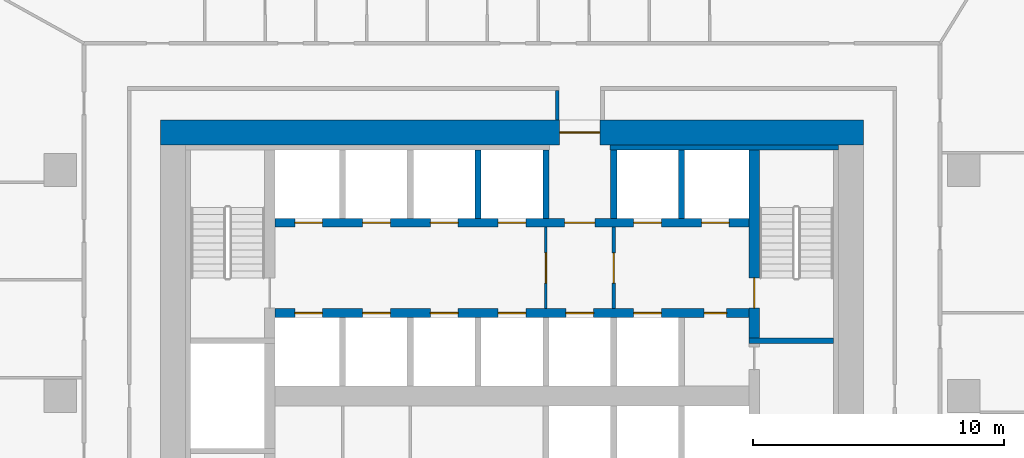
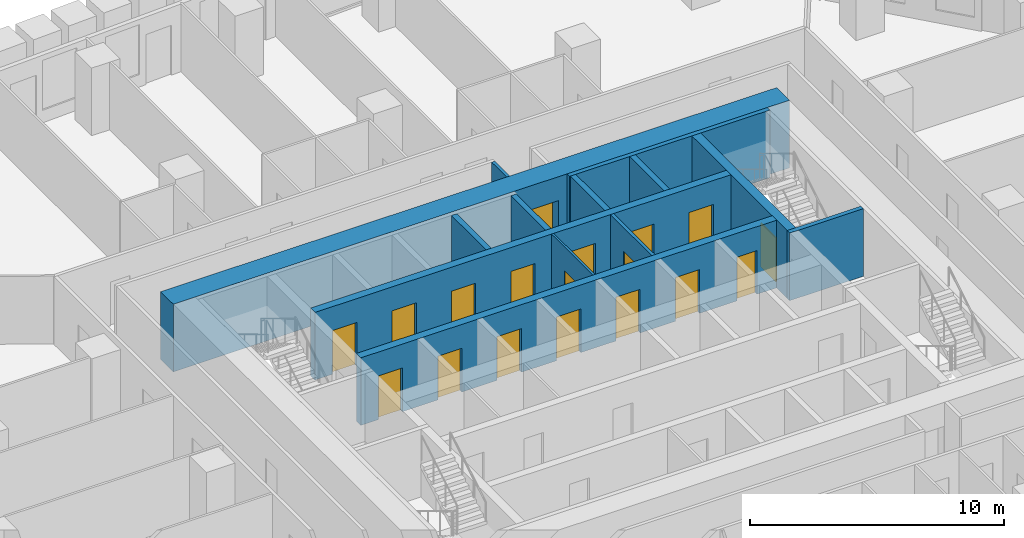
# One storey, part 17 of 26: 18 doors, 13 walls, 18 openings.
"""IFC4 building model written with IfcOpenShell, lengths in metres."""

from ifc_helpers import new_model, si_unit, direction, frame, frame_2d, origin, place, context, subcontext, project, spatial, rectangle, extrude, material, layer, layer_set, type_object, element, fill, save


model = new_model("IFC4")

# Units and contexts
model_context = context("Model", 3, precision=1e-05, world=origin(), true_north=direction((0.0, 1.0)))
body_context = subcontext(model_context, "Body", "Model", "MODEL_VIEW")
ifc_project = project(units=[si_unit("LENGTHUNIT", "METRE"), si_unit("AREAUNIT", "SQUARE_METRE"), si_unit("VOLUMEUNIT", "CUBIC_METRE"), si_unit("PLANEANGLEUNIT", "RADIAN"), si_unit("MASSUNIT", "GRAM", prefix="KILO")], contexts=[model_context])

# Site, building, storey
site_placement = place(None, origin())
site = spatial("IfcSite", under=ifc_project, at=site_placement, CompositionType="ELEMENT")
building_placement = place(site_placement, origin())
building = spatial("IfcBuilding", under=site, at=building_placement, Name="Dongbaek Canopy Tower", CompositionType="ELEMENT")
storey_placement = place(building_placement, frame((0.0, 0.0, 95.199951171875)))
storey = spatial("IfcBuildingStorey", under=building, at=storey_placement, Name="L19", CompositionType="ELEMENT", Elevation=95.199951171875)

# Wall, openings, doors
ifc_material_1 = material(Name="Concrete C60/75", Category="concrete")
ifc_layer_1 = layer(ifc_material_1, 0.35009765625)
ifc_layer_set_1 = layer_set([ifc_layer_1], Name="Core lobby wall 350 Concrete C60/75")
wall_type_1 = type_object("IfcWallType", Name="Core lobby wall 350 Concrete C60/75", PredefinedType="SHEAR", material=ifc_layer_set_1)
wall_1_placement = place(storey_placement, frame((-9.449951171875, 6.89990234375, 0.0), z_axis=(0.0, 0.0, 1.0), x_axis=(1.0, 0.0, 0.0)))
wall_1 = element("IfcWall", 1, at=wall_1_placement, inside=storey, type_object=wall_type_1, Name="Core wall", PredefinedType="SHEAR", context=body_context, shape_type="SweptSolid", body=[
    extrude(rectangle(XDim=18.89990234375, YDim=0.35009765625, at=frame_2d((9.449951171875, 0.0))), origin(), (0.0, 0.0, 1.0), 3.25),
])
opening_1_placement = place(wall_1_placement, frame((0.800048828125, 0.0, 0.0)))
opening_1 = element("IfcOpeningElement", 2, at=opening_1_placement, cuts=wall_1, Name="Opening L19-D042", PredefinedType="OPENING", context=body_context, shape_type="SweptSolid", body=[
    extrude(rectangle(XDim=1.10009765625, YDim=2.10009765625, at=frame_2d((0.550048828125, 1.050048828125))), frame((0.0, 0.18505859375, 0.0), z_axis=(0.0, -1.0, 0.0), x_axis=(1.0, 0.0, 0.0)), (0.0, 0.0, 1.0), 0.3701171875),
])
opening_2_placement = place(wall_1_placement, frame((3.5, 0.0, 0.0)))
opening_2 = element("IfcOpeningElement", 3, at=opening_2_placement, cuts=wall_1, Name="Opening L19-D043", PredefinedType="OPENING", context=body_context, shape_type="SweptSolid", body=[
    extrude(rectangle(XDim=1.10009765625, YDim=2.10009765625, at=frame_2d((0.550048828125, 1.050048828125))), frame((0.0, 0.18505859375, 0.0), z_axis=(0.0, -1.0, 0.0), x_axis=(1.0, 0.0, 0.0)), (0.0, 0.0, 1.0), 0.3701171875),
])
opening_3_placement = place(wall_1_placement, frame((6.199951171875, 0.0, 0.0)))
opening_3 = element("IfcOpeningElement", 4, at=opening_3_placement, cuts=wall_1, Name="Opening L19-D044", PredefinedType="OPENING", context=body_context, shape_type="SweptSolid", body=[
    extrude(rectangle(XDim=1.10009765625, YDim=2.10009765625, at=frame_2d((0.550048828125, 1.050048828125))), frame((0.0, 0.18505859375, 0.0), z_axis=(0.0, -1.0, 0.0), x_axis=(1.0, 0.0, 0.0)), (0.0, 0.0, 1.0), 0.3701171875),
])
opening_4_placement = place(wall_1_placement, frame((8.89990234375, 0.0, 0.0)))
opening_4 = element("IfcOpeningElement", 5, at=opening_4_placement, cuts=wall_1, Name="Opening L19-D045", PredefinedType="OPENING", context=body_context, shape_type="SweptSolid", body=[
    extrude(rectangle(XDim=1.10009765625, YDim=2.10009765625, at=frame_2d((0.550048828125, 1.050048828125))), frame((0.0, 0.18505859375, 0.0), z_axis=(0.0, -1.0, 0.0), x_axis=(1.0, 0.0, 0.0)), (0.0, 0.0, 1.0), 0.3701171875),
])
opening_5_placement = place(wall_1_placement, frame((11.550048828125, 0.0, 0.0)))
opening_5 = element("IfcOpeningElement", 6, at=opening_5_placement, cuts=wall_1, Name="Opening L19-D047", PredefinedType="OPENING", context=body_context, shape_type="SweptSolid", body=[
    extrude(rectangle(XDim=1.199951171875, YDim=2.10009765625, at=frame_2d((0.60009765625, 1.050048828125))), frame((0.0, 0.18505859375, 0.0), z_axis=(0.0, -1.0, 0.0), x_axis=(1.0, 0.0, 0.0)), (0.0, 0.0, 1.0), 0.3701171875),
])
opening_6_placement = place(wall_1_placement, frame((14.300048828125, 0.0, 0.0)))
opening_6 = element("IfcOpeningElement", 7, at=opening_6_placement, cuts=wall_1, Name="Opening L19-D048", PredefinedType="OPENING", context=body_context, shape_type="SweptSolid", body=[
    extrude(rectangle(XDim=1.10009765625, YDim=2.10009765625, at=frame_2d((0.550048828125, 1.050048828125))), frame((0.0, 0.18505859375, 0.0), z_axis=(0.0, -1.0, 0.0), x_axis=(1.0, 0.0, 0.0)), (0.0, 0.0, 1.0), 0.3701171875),
])
opening_7_placement = place(wall_1_placement, frame((17.0, 0.0, 0.0)))
opening_7 = element("IfcOpeningElement", 8, at=opening_7_placement, cuts=wall_1, Name="Opening L19-D049", PredefinedType="OPENING", context=body_context, shape_type="SweptSolid", body=[
    extrude(rectangle(XDim=1.10009765625, YDim=2.10009765625, at=frame_2d((0.550048828125, 1.050048828125))), frame((0.0, 0.18505859375, 0.0), z_axis=(0.0, -1.0, 0.0), x_axis=(1.0, 0.0, 0.0)), (0.0, 0.0, 1.0), 0.3701171875),
])
ifc_material_2 = material(Name="Steel", Category="steel")
door_type_1 = type_object("IfcDoorType", Name="Fire lobby door 1200 x 2100", OperationType="SINGLE_SWING_LEFT", PredefinedType="DOOR", material=ifc_material_2)
door_1_placement = place(opening_5_placement, origin())
door_1 = element("IfcDoor", 9, at=door_1_placement, inside=storey, type_object=door_type_1, Name="Door L19-D047", OperationType="SINGLE_SWING_LEFT", OverallHeight=2.10009765625, OverallWidth=1.199951171875, PredefinedType="DOOR", context=body_context, shape_type="SweptSolid", body=[
    extrude(rectangle(XDim=1.199951171875, YDim=2.10009765625, at=frame_2d((0.60009765625, 1.050048828125))), frame((0.0, 0.02490234375, 0.0), z_axis=(0.0, -1.0, 0.0), x_axis=(1.0, 0.0, 0.0)), (0.0, 0.0, 1.0), 0.050048828125),
])
fill(opening_5, door_1)
ifc_material_3 = material(Name="Stainless steel", Category="steel")
door_type_2 = type_object("IfcDoorType", Name="Lift landing door 1100 x 2100", OperationType="DOUBLE_DOOR_SLIDING", PredefinedType="DOOR", material=ifc_material_3)
door_2_placement = place(opening_1_placement, origin())
door_2 = element("IfcDoor", 10, at=door_2_placement, inside=storey, type_object=door_type_2, Name="Landing door LR1", OperationType="DOUBLE_DOOR_SLIDING", OverallHeight=2.10009765625, OverallWidth=1.10009765625, PredefinedType="DOOR", context=body_context, shape_type="SweptSolid", body=[
    extrude(rectangle(XDim=1.10009765625, YDim=2.10009765625, at=frame_2d((0.550048828125, 1.050048828125))), frame((0.0, 0.02490234375, 0.0), z_axis=(0.0, -1.0, 0.0), x_axis=(1.0, 0.0, 0.0)), (0.0, 0.0, 1.0), 0.050048828125),
])
fill(opening_1, door_2)
door_3_placement = place(opening_2_placement, origin())
door_3 = element("IfcDoor", 11, at=door_3_placement, inside=storey, type_object=door_type_2, Name="Landing door LR2", OperationType="DOUBLE_DOOR_SLIDING", OverallHeight=2.10009765625, OverallWidth=1.10009765625, PredefinedType="DOOR", context=body_context, shape_type="SweptSolid", body=[
    extrude(rectangle(XDim=1.10009765625, YDim=2.10009765625, at=frame_2d((0.550048828125, 1.050048828125))), frame((0.0, 0.02490234375, 0.0), z_axis=(0.0, -1.0, 0.0), x_axis=(1.0, 0.0, 0.0)), (0.0, 0.0, 1.0), 0.050048828125),
])
fill(opening_2, door_3)
door_4_placement = place(opening_3_placement, origin())
door_4 = element("IfcDoor", 12, at=door_4_placement, inside=storey, type_object=door_type_2, Name="Landing door LR3", OperationType="DOUBLE_DOOR_SLIDING", OverallHeight=2.10009765625, OverallWidth=1.10009765625, PredefinedType="DOOR", context=body_context, shape_type="SweptSolid", body=[
    extrude(rectangle(XDim=1.10009765625, YDim=2.10009765625, at=frame_2d((0.550048828125, 1.050048828125))), frame((0.0, 0.02490234375, 0.0), z_axis=(0.0, -1.0, 0.0), x_axis=(1.0, 0.0, 0.0)), (0.0, 0.0, 1.0), 0.050048828125),
])
fill(opening_3, door_4)
door_5_placement = place(opening_4_placement, origin())
door_5 = element("IfcDoor", 13, at=door_5_placement, inside=storey, type_object=door_type_2, Name="Landing door LR4", OperationType="DOUBLE_DOOR_SLIDING", OverallHeight=2.10009765625, OverallWidth=1.10009765625, PredefinedType="DOOR", context=body_context, shape_type="SweptSolid", body=[
    extrude(rectangle(XDim=1.10009765625, YDim=2.10009765625, at=frame_2d((0.550048828125, 1.050048828125))), frame((0.0, 0.02490234375, 0.0), z_axis=(0.0, -1.0, 0.0), x_axis=(1.0, 0.0, 0.0)), (0.0, 0.0, 1.0), 0.050048828125),
])
fill(opening_4, door_5)
door_6_placement = place(opening_6_placement, origin())
door_6 = element("IfcDoor", 14, at=door_6_placement, inside=storey, type_object=door_type_2, Name="Landing door FF1", OperationType="DOUBLE_DOOR_SLIDING", OverallHeight=2.10009765625, OverallWidth=1.10009765625, PredefinedType="DOOR", context=body_context, shape_type="SweptSolid", body=[
    extrude(rectangle(XDim=1.10009765625, YDim=2.10009765625, at=frame_2d((0.550048828125, 1.050048828125))), frame((0.0, 0.02490234375, 0.0), z_axis=(0.0, -1.0, 0.0), x_axis=(1.0, 0.0, 0.0)), (0.0, 0.0, 1.0), 0.050048828125),
])
fill(opening_6, door_6)
door_7_placement = place(opening_7_placement, origin())
door_7 = element("IfcDoor", 15, at=door_7_placement, inside=storey, type_object=door_type_2, Name="Landing door FF2", OperationType="DOUBLE_DOOR_SLIDING", OverallHeight=2.10009765625, OverallWidth=1.10009765625, PredefinedType="DOOR", context=body_context, shape_type="SweptSolid", body=[
    extrude(rectangle(XDim=1.10009765625, YDim=2.10009765625, at=frame_2d((0.550048828125, 1.050048828125))), frame((0.0, 0.02490234375, 0.0), z_axis=(0.0, -1.0, 0.0), x_axis=(1.0, 0.0, 0.0)), (0.0, 0.0, 1.0), 0.050048828125),
])
fill(opening_7, door_7)

wall_2_placement = place(storey_placement, frame((9.449951171875, 3.300048828125, 0.0), z_axis=(0.0, 0.0, 1.0), x_axis=(-1.0, 0.0, 0.0)))
wall_2 = element("IfcWall", 16, at=wall_2_placement, inside=storey, type_object=wall_type_1, Name="Core wall", PredefinedType="SHEAR", context=body_context, shape_type="SweptSolid", body=[
    extrude(rectangle(XDim=18.89990234375, YDim=0.35009765625, at=frame_2d((9.449951171875, 0.0))), origin(), (0.0, 0.0, 1.0), 3.25),
])
opening_8_placement = place(wall_2_placement, frame((17.0, 0.0, 0.0)))
opening_8 = element("IfcOpeningElement", 17, at=opening_8_placement, cuts=wall_2, Name="Opening L19-D050", PredefinedType="OPENING", context=body_context, shape_type="SweptSolid", body=[
    extrude(rectangle(XDim=1.10009765625, YDim=2.10009765625, at=frame_2d((0.550048828125, 1.050048828125))), frame((0.0, 0.18505859375, 0.0), z_axis=(0.0, -1.0, 0.0), x_axis=(1.0, 0.0, 0.0)), (0.0, 0.0, 1.0), 0.3701171875),
])
opening_9_placement = place(wall_2_placement, frame((14.300048828125, 0.0, 0.0)))
opening_9 = element("IfcOpeningElement", 18, at=opening_9_placement, cuts=wall_2, Name="Opening L19-D051", PredefinedType="OPENING", context=body_context, shape_type="SweptSolid", body=[
    extrude(rectangle(XDim=1.10009765625, YDim=2.10009765625, at=frame_2d((0.550048828125, 1.050048828125))), frame((0.0, 0.18505859375, 0.0), z_axis=(0.0, -1.0, 0.0), x_axis=(1.0, 0.0, 0.0)), (0.0, 0.0, 1.0), 0.3701171875),
])
opening_10_placement = place(wall_2_placement, frame((11.60009765625, 0.0, 0.0)))
opening_10 = element("IfcOpeningElement", 19, at=opening_10_placement, cuts=wall_2, Name="Opening L19-D052", PredefinedType="OPENING", context=body_context, shape_type="SweptSolid", body=[
    extrude(rectangle(XDim=1.10009765625, YDim=2.10009765625, at=frame_2d((0.550048828125, 1.050048828125))), frame((0.0, 0.18505859375, 0.0), z_axis=(0.0, -1.0, 0.0), x_axis=(1.0, 0.0, 0.0)), (0.0, 0.0, 1.0), 0.3701171875),
])
opening_11_placement = place(wall_2_placement, frame((8.89990234375, 0.0, 0.0)))
opening_11 = element("IfcOpeningElement", 20, at=opening_11_placement, cuts=wall_2, Name="Opening L19-D053", PredefinedType="OPENING", context=body_context, shape_type="SweptSolid", body=[
    extrude(rectangle(XDim=1.10009765625, YDim=2.10009765625, at=frame_2d((0.550048828125, 1.050048828125))), frame((0.0, 0.18505859375, 0.0), z_axis=(0.0, -1.0, 0.0), x_axis=(1.0, 0.0, 0.0)), (0.0, 0.0, 1.0), 0.3701171875),
])
opening_12_placement = place(wall_2_placement, frame((6.199951171875, 0.0, 0.0)))
opening_12 = element("IfcOpeningElement", 21, at=opening_12_placement, cuts=wall_2, Name="Opening L19-D054", PredefinedType="OPENING", context=body_context, shape_type="SweptSolid", body=[
    extrude(rectangle(XDim=1.10009765625, YDim=2.10009765625, at=frame_2d((0.550048828125, 1.050048828125))), frame((0.0, 0.18505859375, 0.0), z_axis=(0.0, -1.0, 0.0), x_axis=(1.0, 0.0, 0.0)), (0.0, 0.0, 1.0), 0.3701171875),
])
opening_13_placement = place(wall_2_placement, frame((3.5, 0.0, 0.0)))
opening_13 = element("IfcOpeningElement", 22, at=opening_13_placement, cuts=wall_2, Name="Opening L19-D055", PredefinedType="OPENING", context=body_context, shape_type="SweptSolid", body=[
    extrude(rectangle(XDim=1.10009765625, YDim=2.10009765625, at=frame_2d((0.550048828125, 1.050048828125))), frame((0.0, 0.18505859375, 0.0), z_axis=(0.0, -1.0, 0.0), x_axis=(1.0, 0.0, 0.0)), (0.0, 0.0, 1.0), 0.3701171875),
])
opening_14_placement = place(wall_2_placement, frame((0.89990234375, 0.0, 0.0)))
opening_14 = element("IfcOpeningElement", 23, at=opening_14_placement, cuts=wall_2, Name="Opening L19-D056", PredefinedType="OPENING", context=body_context, shape_type="SweptSolid", body=[
    extrude(rectangle(XDim=0.89990234375, YDim=2.10009765625, at=frame_2d((0.449951171875, 1.050048828125))), frame((0.0, 0.18505859375, 0.0), z_axis=(0.0, -1.0, 0.0), x_axis=(1.0, 0.0, 0.0)), (0.0, 0.0, 1.0), 0.3701171875),
])
ifc_material_4 = material(Name="Steel", Category="steel")
door_type_3 = type_object("IfcDoorType", Name="Core room door 900 x 2100", OperationType="SINGLE_SWING_LEFT", PredefinedType="DOOR", material=ifc_material_4)
door_8_placement = place(opening_14_placement, origin())
door_8 = element("IfcDoor", 24, at=door_8_placement, inside=storey, type_object=door_type_3, Name="Door L19-D056", OperationType="SINGLE_SWING_LEFT", OverallHeight=2.10009765625, OverallWidth=0.89990234375, PredefinedType="DOOR", context=body_context, shape_type="SweptSolid", body=[
    extrude(rectangle(XDim=0.89990234375, YDim=2.10009765625, at=frame_2d((0.449951171875, 1.050048828125))), frame((0.0, 0.02490234375, 0.0), z_axis=(0.0, -1.0, 0.0), x_axis=(1.0, 0.0, 0.0)), (0.0, 0.0, 1.0), 0.050048828125),
])
fill(opening_14, door_8)
door_9_placement = place(opening_8_placement, origin())
door_9 = element("IfcDoor", 25, at=door_9_placement, inside=storey, type_object=door_type_2, Name="Landing door LR5", OperationType="DOUBLE_DOOR_SLIDING", OverallHeight=2.10009765625, OverallWidth=1.10009765625, PredefinedType="DOOR", context=body_context, shape_type="SweptSolid", body=[
    extrude(rectangle(XDim=1.10009765625, YDim=2.10009765625, at=frame_2d((0.550048828125, 1.050048828125))), frame((0.0, 0.02490234375, 0.0), z_axis=(0.0, -1.0, 0.0), x_axis=(1.0, 0.0, 0.0)), (0.0, 0.0, 1.0), 0.050048828125),
])
fill(opening_8, door_9)
door_10_placement = place(opening_9_placement, origin())
door_10 = element("IfcDoor", 26, at=door_10_placement, inside=storey, type_object=door_type_2, Name="Landing door LR6", OperationType="DOUBLE_DOOR_SLIDING", OverallHeight=2.10009765625, OverallWidth=1.10009765625, PredefinedType="DOOR", context=body_context, shape_type="SweptSolid", body=[
    extrude(rectangle(XDim=1.10009765625, YDim=2.10009765625, at=frame_2d((0.550048828125, 1.050048828125))), frame((0.0, 0.02490234375, 0.0), z_axis=(0.0, -1.0, 0.0), x_axis=(1.0, 0.0, 0.0)), (0.0, 0.0, 1.0), 0.050048828125),
])
fill(opening_9, door_10)
door_11_placement = place(opening_10_placement, origin())
door_11 = element("IfcDoor", 27, at=door_11_placement, inside=storey, type_object=door_type_2, Name="Landing door LR7", OperationType="DOUBLE_DOOR_SLIDING", OverallHeight=2.10009765625, OverallWidth=1.10009765625, PredefinedType="DOOR", context=body_context, shape_type="SweptSolid", body=[
    extrude(rectangle(XDim=1.10009765625, YDim=2.10009765625, at=frame_2d((0.550048828125, 1.050048828125))), frame((0.0, 0.02490234375, 0.0), z_axis=(0.0, -1.0, 0.0), x_axis=(1.0, 0.0, 0.0)), (0.0, 0.0, 1.0), 0.050048828125),
])
fill(opening_10, door_11)
door_12_placement = place(opening_11_placement, origin())
door_12 = element("IfcDoor", 28, at=door_12_placement, inside=storey, type_object=door_type_2, Name="Landing door LR8", OperationType="DOUBLE_DOOR_SLIDING", OverallHeight=2.10009765625, OverallWidth=1.10009765625, PredefinedType="DOOR", context=body_context, shape_type="SweptSolid", body=[
    extrude(rectangle(XDim=1.10009765625, YDim=2.10009765625, at=frame_2d((0.550048828125, 1.050048828125))), frame((0.0, 0.02490234375, 0.0), z_axis=(0.0, -1.0, 0.0), x_axis=(1.0, 0.0, 0.0)), (0.0, 0.0, 1.0), 0.050048828125),
])
fill(opening_11, door_12)
door_13_placement = place(opening_12_placement, origin())
door_13 = element("IfcDoor", 29, at=door_13_placement, inside=storey, type_object=door_type_2, Name="Landing door SV1", OperationType="DOUBLE_DOOR_SLIDING", OverallHeight=2.10009765625, OverallWidth=1.10009765625, PredefinedType="DOOR", context=body_context, shape_type="SweptSolid", body=[
    extrude(rectangle(XDim=1.10009765625, YDim=2.10009765625, at=frame_2d((0.550048828125, 1.050048828125))), frame((0.0, 0.02490234375, 0.0), z_axis=(0.0, -1.0, 0.0), x_axis=(1.0, 0.0, 0.0)), (0.0, 0.0, 1.0), 0.050048828125),
])
fill(opening_12, door_13)
door_14_placement = place(opening_13_placement, origin())
door_14 = element("IfcDoor", 30, at=door_14_placement, inside=storey, type_object=door_type_2, Name="Landing door FF3", OperationType="DOUBLE_DOOR_SLIDING", OverallHeight=2.10009765625, OverallWidth=1.10009765625, PredefinedType="DOOR", context=body_context, shape_type="SweptSolid", body=[
    extrude(rectangle(XDim=1.10009765625, YDim=2.10009765625, at=frame_2d((0.550048828125, 1.050048828125))), frame((0.0, 0.02490234375, 0.0), z_axis=(0.0, -1.0, 0.0), x_axis=(1.0, 0.0, 0.0)), (0.0, 0.0, 1.0), 0.050048828125),
])
fill(opening_13, door_14)

# Wall, opening, door
ifc_material_5 = material(Name="Concrete C60/75", Category="concrete")
ifc_layer_2 = layer(ifc_material_5, 1.0)
ifc_layer_set_2 = layer_set([ifc_layer_2], Name="Core outer wall 1000 Concrete C60/75")
wall_type_2 = type_object("IfcWallType", Name="Core outer wall 1000 Concrete C60/75", PredefinedType="SHEAR", material=ifc_layer_set_2)
wall_3_placement = place(storey_placement, frame((-14.0, 10.5, 0.0), z_axis=(0.0, 0.0, 1.0), x_axis=(1.0, 0.0, 0.0)))
wall_3 = element("IfcWall", 31, at=wall_3_placement, inside=storey, type_object=wall_type_2, Name="Core wall", PredefinedType="SHEAR", context=body_context, shape_type="SweptSolid", body=[
    extrude(rectangle(XDim=28.0, YDim=1.0, at=frame_2d((14.0, 0.0))), origin(), (0.0, 0.0, 1.0), 3.25),
])
opening_15_placement = place(wall_3_placement, frame((15.89990234375, 0.0, 0.0)))
opening_15 = element("IfcOpeningElement", 32, at=opening_15_placement, cuts=wall_3, Name="Opening L19-D046", PredefinedType="OPENING", context=body_context, shape_type="SweptSolid", body=[
    extrude(rectangle(XDim=1.60009765625, YDim=2.10009765625, at=frame_2d((0.800048828125, 1.050048828125))), frame((0.0, 0.510009765625, 0.0), z_axis=(0.0, -1.0, 0.0), x_axis=(1.0, 0.0, 0.0)), (0.0, 0.0, 1.0), 1.02001953125),
])
ifc_material_6 = material(Name="Steel", Category="steel")
door_type_4 = type_object("IfcDoorType", Name="Core exit door 1600 x 2100", OperationType="DOUBLE_DOOR_SINGLE_SWING", PredefinedType="DOOR", material=ifc_material_6)
door_15_placement = place(opening_15_placement, origin())
door_15 = element("IfcDoor", 33, at=door_15_placement, inside=storey, type_object=door_type_4, Name="Core exit door", OperationType="DOUBLE_DOOR_SINGLE_SWING", OverallHeight=2.10009765625, OverallWidth=1.60009765625, PredefinedType="DOOR", context=body_context, shape_type="SweptSolid", body=[
    extrude(rectangle(XDim=1.60009765625, YDim=2.10009765625, at=frame_2d((0.800048828125, 1.050048828125))), frame((0.0, 0.02490234375, 0.0), z_axis=(0.0, -1.0, 0.0), x_axis=(1.0, 0.0, 0.0)), (0.0, 0.0, 1.0), 0.050048828125),
])
fill(opening_15, door_15)

# Walls
ifc_material_7 = material(Name="Concrete C60/75", Category="concrete")
ifc_layer_3 = layer(ifc_material_7, 0.199951171875)
ifc_layer_set_3 = layer_set([ifc_layer_3], Name="Core wall lining 200 Concrete C60/75")
wall_type_3 = type_object("IfcWallType", Name="Core wall lining 200 Concrete C60/75", PredefinedType="SHEAR", material=ifc_layer_set_3)
wall_4_placement = place(storey_placement, frame((3.89990234375, 9.89990234375, 0.0), z_axis=(0.0, 0.0, 1.0), x_axis=(1.0, 0.0, 0.0)))
element("IfcWall", 34, at=wall_4_placement, inside=storey, type_object=wall_type_3, Name="Core wall lining", PredefinedType="SHEAR", context=body_context, shape_type="SweptSolid", body=[
    extrude(rectangle(XDim=9.10009765625, YDim=0.199951171875, at=frame_2d((4.550048828125, 0.0))), origin(), (0.0, 0.0, 1.0), 3.25),
])
ifc_material_8 = material(Name="Gypsum board partition, steel stud, 2 x 15 mm fire board", Category="steel")
ifc_layer_4 = layer(ifc_material_8, 0.14990234375)
ifc_layer_set_4 = layer_set([ifc_layer_4], Name="Fire-rated partition 150 gypsum board")
wall_type_4 = type_object("IfcWallType", Name="Fire-rated partition 150 gypsum board", PredefinedType="PARTITIONING", material=ifc_layer_set_4)
wall_5_placement = place(storey_placement, frame((1.800048828125, 11.0, 0.0), z_axis=(0.0, 0.0, 1.0), x_axis=(0.0, 1.0, 0.0)))
element("IfcWall", 35, at=wall_5_placement, inside=storey, type_object=wall_type_4, Name="Corridor partition", PredefinedType="PARTITIONING", context=body_context, shape_type="SweptSolid", body=[
    extrude(rectangle(XDim=1.175048828125, YDim=0.14990234375, at=frame_2d((0.58740234375, 0.0))), origin(), (0.0, 0.0, 1.0), 3.25),
])

# Wall, opening, door
wall_6_placement = place(storey_placement, frame((4.050048828125, 6.72509765625, 0.0), z_axis=(0.0, 0.0, 1.0), x_axis=(0.0, -1.0, 0.0)))
wall_6 = element("IfcWall", 36, at=wall_6_placement, inside=storey, type_object=wall_type_4, Name="Fire lobby partition", PredefinedType="PARTITIONING", context=body_context, shape_type="SweptSolid", body=[
    extrude(rectangle(XDim=3.25, YDim=0.14990234375, at=frame_2d((1.625, 0.0))), origin(), (0.0, 0.0, 1.0), 3.25),
])
opening_16_placement = place(wall_6_placement, frame((1.02490234375, 0.0, 0.0)))
opening_16 = element("IfcOpeningElement", 37, at=opening_16_placement, cuts=wall_6, Name="Opening L19-D070", PredefinedType="OPENING", context=body_context, shape_type="SweptSolid", body=[
    extrude(rectangle(XDim=1.199951171875, YDim=2.10009765625, at=frame_2d((0.60009765625, 1.050048828125))), frame((0.0, 0.0849609375, 0.0), z_axis=(0.0, -1.0, 0.0), x_axis=(1.0, 0.0, 0.0)), (0.0, 0.0, 1.0), 0.169921875),
])
door_16_placement = place(opening_16_placement, origin())
door_16 = element("IfcDoor", 38, at=door_16_placement, inside=storey, type_object=door_type_1, Name="Door L19-D070", OperationType="SINGLE_SWING_RIGHT", OverallHeight=2.10009765625, OverallWidth=1.199951171875, PredefinedType="DOOR", context=body_context, shape_type="SweptSolid", body=[
    extrude(rectangle(XDim=1.199951171875, YDim=2.10009765625, at=frame_2d((0.60009765625, 1.050048828125))), frame((0.0, 0.02490234375, 0.0), z_axis=(0.0, -1.0, 0.0), x_axis=(1.0, 0.0, 0.0)), (0.0, 0.0, 1.0), 0.050048828125),
])
fill(opening_16, door_16)

# Walls
ifc_material_9 = material(Name="Concrete C40/50", Category="concrete")
ifc_layer_5 = layer(ifc_material_9, 0.25)
ifc_layer_set_5 = layer_set([ifc_layer_5], Name="Lift shaft wall 250 Concrete C40/50")
wall_type_5 = type_object("IfcWallType", Name="Lift shaft wall 250 Concrete C40/50", PredefinedType="SOLIDWALL", material=ifc_layer_set_5)
for number, where, z_axis, x_axis, name in (
    (39, (6.75, 7.074951171875, 0.0), (0.0, 0.0, 1.0), (0.0, 1.0, 0.0), "Lift shaft wall"),
    (40, (4.050048828125, 7.074951171875, 0.0), (0.0, 0.0, 1.0), (0.0, 1.0, 0.0), "Lift shaft wall"),
    (41, (1.35009765625, 7.074951171875, 0.0), (0.0, 0.0, 1.0), (0.0, 1.0, 0.0), "Lift shaft wall"),
    (42, (-1.35009765625, 7.074951171875, 0.0), (0.0, 0.0, 1.0), (0.0, 1.0, 0.0), "Lift shaft wall"),
):
    element("IfcWall", number, at=place(storey_placement, frame(where, z_axis=z_axis, x_axis=x_axis)), inside=storey, type_object=wall_type_5, Name=name, PredefinedType="SOLIDWALL", context=body_context, shape_type="SweptSolid", body=[
        extrude(rectangle(XDim=2.72509765625, YDim=0.25, at=frame_2d((1.362548828125, 0.0))), origin(), (0.0, 0.0, 1.0), 3.25),
    ])

# Wall, opening, door
ifc_material_10 = material(Name="Gypsum board partition, steel stud, 2 x 12.5 mm board", Category="steel")
ifc_layer_6 = layer(ifc_material_10, 0.10009765625)
ifc_layer_set_6 = layer_set([ifc_layer_6], Name="Partition 100 gypsum board")
wall_type_6 = type_object("IfcWallType", Name="Partition 100 gypsum board", PredefinedType="PARTITIONING", material=ifc_layer_set_6)
wall_7_placement = place(storey_placement, frame((1.35009765625, 6.72509765625, 0.0), z_axis=(0.0, 0.0, 1.0), x_axis=(0.0, -1.0, 0.0)))
wall_7 = element("IfcWall", 43, at=wall_7_placement, inside=storey, type_object=wall_type_6, Name="Core partition", PredefinedType="PARTITIONING", context=body_context, shape_type="SweptSolid", body=[
    extrude(rectangle(XDim=3.25, YDim=0.10009765625, at=frame_2d((1.625, 0.0))), origin(), (0.0, 0.0, 1.0), 3.25),
])
opening_17_placement = place(wall_7_placement, frame((1.02490234375, 0.0, 0.0)))
opening_17 = element("IfcOpeningElement", 44, at=opening_17_placement, cuts=wall_7, Name="Opening L19-D069", PredefinedType="OPENING", context=body_context, shape_type="SweptSolid", body=[
    extrude(rectangle(XDim=1.199951171875, YDim=2.10009765625, at=frame_2d((0.60009765625, 1.050048828125))), frame((0.0, 0.06005859375, 0.0), z_axis=(0.0, -1.0, 0.0), x_axis=(1.0, 0.0, 0.0)), (0.0, 0.0, 1.0), 0.1201171875),
])
door_17_placement = place(opening_17_placement, origin())
door_17 = element("IfcDoor", 45, at=door_17_placement, inside=storey, type_object=door_type_1, Name="Door L19-D069", OperationType="SINGLE_SWING_LEFT", OverallHeight=2.10009765625, OverallWidth=1.199951171875, PredefinedType="DOOR", context=body_context, shape_type="SweptSolid", body=[
    extrude(rectangle(XDim=1.199951171875, YDim=2.10009765625, at=frame_2d((0.60009765625, 1.050048828125))), frame((0.0, 0.02490234375, 0.0), z_axis=(0.0, -1.0, 0.0), x_axis=(1.0, 0.0, 0.0)), (0.0, 0.0, 1.0), 0.050048828125),
])
fill(opening_17, door_17)

# Wall
ifc_material_11 = material(Name="Concrete C60/75", Category="concrete")
ifc_layer_7 = layer(ifc_material_11, 0.199951171875)
ifc_layer_set_7 = layer_set([ifc_layer_7], Name="Riser wall 200 Concrete C60/75")
wall_type_7 = type_object("IfcWallType", Name="Riser wall 200 Concrete C60/75", PredefinedType="SHEAR", material=ifc_layer_set_7)
wall_8_placement = place(storey_placement, frame((9.449951171875, 2.199951171875, 0.0), z_axis=(0.0, 0.0, 1.0), x_axis=(1.0, 0.0, 0.0)))
element("IfcWall", 46, at=wall_8_placement, inside=storey, type_object=wall_type_7, Name="Riser wall", PredefinedType="SHEAR", context=body_context, shape_type="SweptSolid", body=[
    extrude(rectangle(XDim=3.35009765625, YDim=0.199951171875, at=frame_2d((1.675048828125, 0.0))), origin(), (0.0, 0.0, 1.0), 3.25),
])

# Wall, opening, door
ifc_material_12 = material(Name="Concrete C60/75", Category="concrete")
ifc_layer_8 = layer(ifc_material_12, 0.39990234375)
ifc_layer_set_8 = layer_set([ifc_layer_8], Name="Stair wall 400 Concrete C60/75")
wall_type_8 = type_object("IfcWallType", Name="Stair wall 400 Concrete C60/75", PredefinedType="SHEAR", material=ifc_layer_set_8)
wall_9_placement = place(storey_placement, frame((9.64990234375, 9.800048828125, 0.0), z_axis=(0.0, 0.0, 1.0), x_axis=(0.0, -1.0, 0.0)))
wall_9 = element("IfcWall", 47, at=wall_9_placement, inside=storey, type_object=wall_type_8, Name="Stair wall", PredefinedType="SHEAR", context=body_context, shape_type="SweptSolid", body=[
    extrude(rectangle(XDim=7.5, YDim=0.39990234375, at=frame_2d((3.75, 0.0))), origin(), (0.0, 0.0, 1.0), 3.25),
])
opening_18_placement = place(wall_9_placement, frame((5.10009765625, 0.0, 0.0)))
opening_18 = element("IfcOpeningElement", 48, at=opening_18_placement, cuts=wall_9, Name="Opening L19-D065", PredefinedType="OPENING", context=body_context, shape_type="SweptSolid", body=[
    extrude(rectangle(XDim=1.199951171875, YDim=2.10009765625, at=frame_2d((0.60009765625, 1.050048828125))), frame((0.0, 0.2099609375, 0.0), z_axis=(0.0, -1.0, 0.0), x_axis=(1.0, 0.0, 0.0)), (0.0, 0.0, 1.0), 0.419921875),
])
ifc_material_13 = material(Name="Steel", Category="steel")
door_type_5 = type_object("IfcDoorType", Name="Stair door 1200 x 2100", OperationType="SINGLE_SWING_LEFT", PredefinedType="DOOR", material=ifc_material_13)
door_18_placement = place(opening_18_placement, origin())
door_18 = element("IfcDoor", 49, at=door_18_placement, inside=storey, type_object=door_type_5, Name="Stair A door", OperationType="SINGLE_SWING_LEFT", OverallHeight=2.10009765625, OverallWidth=1.199951171875, PredefinedType="DOOR", context=body_context, shape_type="SweptSolid", body=[
    extrude(rectangle(XDim=1.199951171875, YDim=2.10009765625, at=frame_2d((0.60009765625, 1.050048828125))), frame((0.0, 0.02490234375, 0.0), z_axis=(0.0, -1.0, 0.0), x_axis=(1.0, 0.0, 0.0)), (0.0, 0.0, 1.0), 0.050048828125),
])
fill(opening_18, door_18)

save(model, "model.ifc")
